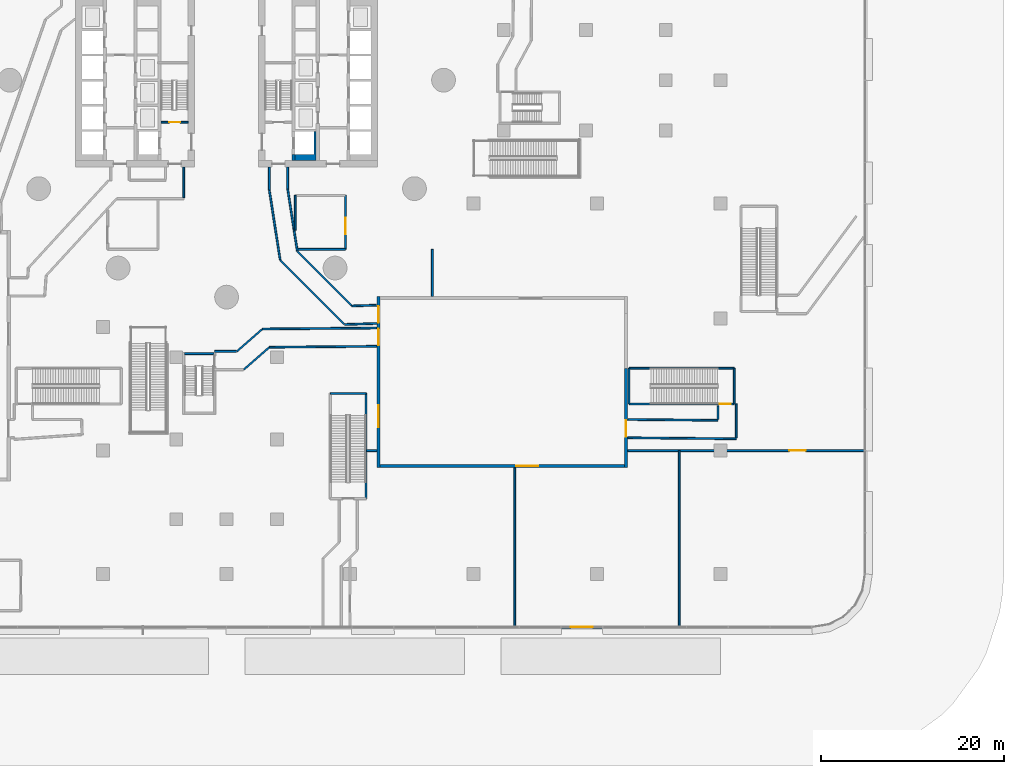
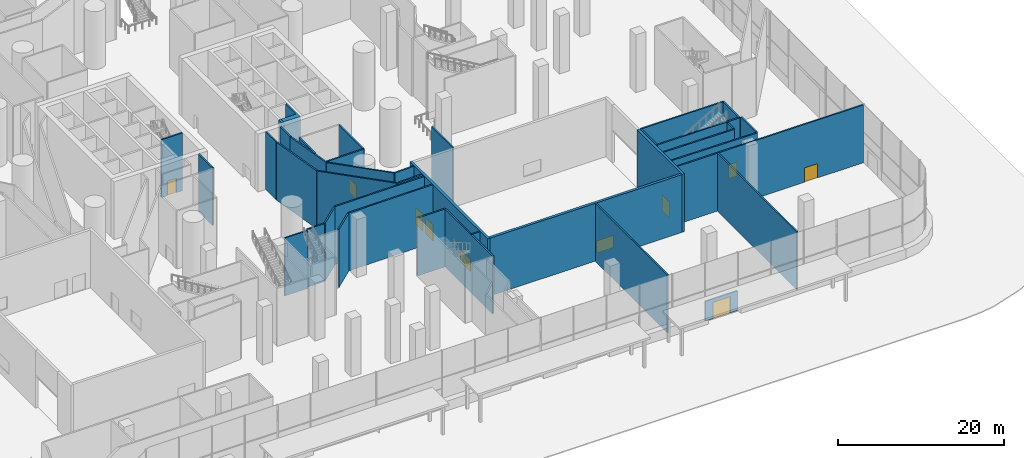
# One storey, part 24 of 54: 40 walls, 8 doors, 2 windows, 10 openings.
"""IFC4 building model written with IfcOpenShell, lengths in metres."""

from ifc_helpers import new_model, si_unit, direction, frame, frame_2d, origin, place, context, subcontext, project, spatial, polyline, rectangle, outline, extrude, material, layer, layer_set, type_object, element, fill, save


model = new_model("IFC4")

# Units and contexts
model_context = context("Model", 3, precision=1e-05, world=origin(), true_north=direction((0.0, 1.0)))
body_context = subcontext(model_context, "Body", "Model", "MODEL_VIEW")
ifc_project = project(units=[si_unit("LENGTHUNIT", "METRE"), si_unit("AREAUNIT", "SQUARE_METRE"), si_unit("VOLUMEUNIT", "CUBIC_METRE"), si_unit("PLANEANGLEUNIT", "RADIAN"), si_unit("MASSUNIT", "GRAM", prefix="KILO")], contexts=[model_context])

# Site, building, storey
site_placement = place(None, origin())
site = spatial("IfcSite", under=ifc_project, at=site_placement, CompositionType="ELEMENT")
building_placement = place(site_placement, origin())
building = spatial("IfcBuilding", under=site, at=building_placement, Name="Tamarind Cross Interchange Tower", CompositionType="ELEMENT")
storey_placement = place(building_placement, origin())
storey = spatial("IfcBuildingStorey", under=building, at=storey_placement, Name="L00", CompositionType="ELEMENT", Elevation=0.0)

# Walls
ifc_material_1 = material(Name="Concrete C80", Category="concrete")
ifc_layer_1 = layer(ifc_material_1, 0.35009765625)
ifc_layer_set_1 = layer_set([ifc_layer_1], Name="Concrete C80")
wall_type_1 = type_object("IfcWallType", Name="Core web wall 350 mm Concrete C80", PredefinedType="SHEAR", material=ifc_layer_set_1)
wall_1_placement = place(storey_placement, origin())
element("IfcWall", 1, at=wall_1_placement, inside=storey, type_object=wall_type_1, Name="Core wall CWL-L00-E-BS", PredefinedType="SHEAR", context=body_context, shape_type="SweptSolid", body=[
    extrude(outline(polyline([(7.5, -8.125), (7.5, -8.800048828125), (9.800048828125, -8.800048828125), (9.800048828125, -8.125), (9.800048828125, -5.625), (9.550048828125, -5.625), (9.550048828125, -8.125), (7.5, -8.125)])), origin(), (0.0, 0.0, 1.0), 8.5),
])
wall_2_placement = place(storey_placement, frame((7.324951171875, -8.800048828125, 0.0), z_axis=(0.0, 0.0, 1.0), x_axis=(0.0, 1.0, 0.0)))
element("IfcWall", 2, at=wall_2_placement, inside=storey, type_object=wall_type_1, Name="Core wall CWL-L00-E-BW", PredefinedType="SHEAR", context=body_context, shape_type="SweptSolid", body=[
    extrude(rectangle(XDim=0.675048828125, YDim=0.35009765625, at=frame_2d((0.33740234375, 0.0))), origin(), (0.0, 0.0, 1.0), 8.5),
])

# Wall, opening, door
ifc_material_2 = material(Name="Precast concrete C40", Category="concrete")
ifc_layer_2 = layer(ifc_material_2, 0.35009765625)
ifc_layer_set_2 = layer_set([ifc_layer_2], Name="Precast concrete C40")
wall_type_2 = type_object("IfcWallType", Name="Court portal pier wall", PredefinedType="SOLIDWALL", material=ifc_layer_set_2)
wall_3_placement = place(storey_placement, frame((43.675048828125, -42.35009765625, 0.0), z_axis=(0.0, 0.0, 1.0), x_axis=(0.0, 1.0, 0.0)))
wall_3 = element("IfcWall", 3, at=wall_3_placement, inside=storey, type_object=wall_type_2, Name="CTW-L00-SEE00", PredefinedType="SOLIDWALL", context=body_context, shape_type="SweptSolid", body=[
    extrude(rectangle(XDim=10.85009765625, YDim=0.35009765625, at=frame_2d((5.425048828125, 0.0))), origin(), (0.0, 0.0, 1.0), 8.5),
])
opening_1_placement = place(wall_3_placement, frame((3.35009765625, 0.0, 0.0)))
opening_1 = element("IfcOpeningElement", 4, at=opening_1_placement, cuts=wall_3, Name="Opening D7", PredefinedType="OPENING", context=body_context, shape_type="SweptSolid", body=[
    extrude(rectangle(XDim=1.800048828125, YDim=2.39990234375, at=frame_2d((0.89990234375, 1.199951171875))), frame((0.0, 0.18505859375, 0.0), z_axis=(0.0, -1.0, 0.0), x_axis=(1.0, 0.0, 0.0)), (0.0, 0.0, 1.0), 0.3701171875),
])
ifc_material_3 = material(Name="Steel FD90", Category="steel")
door_type_1 = type_object("IfcDoorType", Name="Exit passage door", OperationType="DOUBLE_DOOR_SINGLE_SWING", PredefinedType="DOOR", material=ifc_material_3)
door_1_placement = place(opening_1_placement, origin())
door_1 = element("IfcDoor", 5, at=door_1_placement, inside=storey, type_object=door_type_1, Name="Exit stair XS-P10 door to the SE fire court", OperationType="SINGLE_SWING_LEFT", OverallHeight=2.39990234375, OverallWidth=1.800048828125, PredefinedType="DOOR", context=body_context, shape_type="SweptSolid", body=[
    extrude(rectangle(XDim=1.800048828125, YDim=2.39990234375, at=frame_2d((0.89990234375, 1.199951171875))), frame((0.0, 0.02490234375, 0.0), z_axis=(0.0, -1.0, 0.0), x_axis=(1.0, 0.0, 0.0)), (0.0, 0.0, 1.0), 0.050048828125),
])
fill(opening_1, door_1)

# Walls
ifc_material_4 = material(Name="Masonry partition, fire-rated", Category="masonry")
ifc_layer_3 = layer(ifc_material_4, 0.199951171875)
ifc_layer_set_3 = layer_set([ifc_layer_3], Name="Masonry partition, fire-rated")
wall_type_3 = type_object("IfcWallType", Name="Fire partition 200 EI 120", PredefinedType="PARTITIONING", material=ifc_layer_set_3)
wall_4_placement = place(storey_placement, frame((15.280029296875, -40.5, 0.0), z_axis=(0.0, 0.0, 1.0), x_axis=(1.0, 0.0, 0.0)))
element("IfcWall", 6, at=wall_4_placement, inside=storey, type_object=wall_type_3, Name="L00 partition 95", PredefinedType="PARTITIONING", context=body_context, shape_type="SweptSolid", body=[
    extrude(rectangle(XDim=1.139892578125, YDim=0.199951171875, at=frame_2d((0.56982421875, 0.0))), origin(), (0.0, 0.0, 1.0), 8.5),
])
wall_5_placement = place(storey_placement, frame((31.5, -59.698974609375, 0.0), z_axis=(0.0, 0.0, 1.0), x_axis=(0.0, 1.0, 0.0)))
element("IfcWall", 7, at=wall_5_placement, inside=storey, type_object=wall_type_3, Name="L00 partition 97", PredefinedType="PARTITIONING", context=body_context, shape_type="SweptSolid", body=[
    extrude(rectangle(XDim=17.319091796875, YDim=0.199951171875, at=frame_2d((8.65966796875, 0.0))), origin(), (0.0, 0.0, 1.0), 8.5),
])

# Wall, opening, door
wall_6_placement = place(storey_placement, frame((43.8798828125, -40.5, 0.0), z_axis=(0.0, 0.0, 1.0), x_axis=(1.0, 0.0, 0.0)))
wall_6 = element("IfcWall", 8, at=wall_6_placement, inside=storey, type_object=wall_type_3, Name="L00 partition 99", PredefinedType="PARTITIONING", context=body_context, shape_type="SweptSolid", body=[
    extrude(rectangle(XDim=25.819091796875, YDim=0.199951171875, at=frame_2d((12.90966796875, 0.0))), origin(), (0.0, 0.0, 1.0), 8.5),
])
opening_2_placement = place(wall_6_placement, frame((17.663330078125, 0.0, 0.0)))
opening_2 = element("IfcOpeningElement", 9, at=opening_2_placement, cuts=wall_6, Name="Opening DL00-32", PredefinedType="OPENING", context=body_context, shape_type="SweptSolid", body=[
    extrude(rectangle(XDim=1.800048828125, YDim=2.10009765625, at=frame_2d((0.89990234375, 1.050048828125))), frame((0.0, 0.10986328125, 0.0), z_axis=(0.0, -1.0, 0.0), x_axis=(1.0, 0.0, 0.0)), (0.0, 0.0, 1.0), 0.219970703125),
])
ifc_material_5 = material(Name="Steel, fire-resisting", Category="steel")
door_type_2 = type_object("IfcDoorType", Name="Podium door 1800 x 2100 FD60", OperationType="SINGLE_SWING_LEFT", PredefinedType="DOOR", material=ifc_material_5)
door_2_placement = place(opening_2_placement, origin())
door_2 = element("IfcDoor", 10, at=door_2_placement, inside=storey, type_object=door_type_2, Name="L00 door Police Post 0025", OperationType="SINGLE_SWING_RIGHT", OverallHeight=2.10009765625, OverallWidth=1.800048828125, PredefinedType="DOOR", context=body_context, shape_type="SweptSolid", body=[
    extrude(rectangle(XDim=1.800048828125, YDim=2.10009765625, at=frame_2d((0.89990234375, 1.050048828125))), frame((0.0, 0.02490234375, 0.0), z_axis=(0.0, -1.0, 0.0), x_axis=(1.0, 0.0, 0.0)), (0.0, 0.0, 1.0), 0.050048828125),
])
fill(opening_2, door_2)

# Walls
wall_7_placement = place(storey_placement, frame((49.5, -59.698974609375, 0.0), z_axis=(0.0, 0.0, 1.0), x_axis=(0.0, 1.0, 0.0)))
element("IfcWall", 11, at=wall_7_placement, inside=storey, type_object=wall_type_3, Name="L00 partition 100", PredefinedType="PARTITIONING", context=body_context, shape_type="SweptSolid", body=[
    extrude(rectangle(XDim=19.198974609375, YDim=0.199951171875, at=frame_2d((9.599609375, 0.0))), origin(), (0.0, 0.0, 1.0), 8.5),
])
ifc_layer_4 = layer(ifc_material_4, 0.199951171875)
ifc_layer_set_4 = layer_set([ifc_layer_4], Name="Masonry partition, fire-rated")
wall_type_4 = type_object("IfcWallType", Name="Fire partition 200 EI 180", PredefinedType="PARTITIONING", material=ifc_layer_set_4)
wall_8_placement = place(storey_placement, frame((7.82470703125, -18.5, 0.0), z_axis=(0.0, 0.0, 1.0), x_axis=(1.0, 0.0, 0.0)))
element("IfcWall", 12, at=wall_8_placement, inside=storey, type_object=wall_type_4, Name="L00 partition 115", PredefinedType="PARTITIONING", context=body_context, shape_type="SweptSolid", body=[
    extrude(rectangle(XDim=5.17529296875, YDim=0.199951171875, at=frame_2d((2.587646484375, 0.0))), origin(), (0.0, 0.0, 1.0), 8.5),
])
wall_9_placement = place(storey_placement, frame((7.5, -16.406982421875, 0.0), z_axis=(0.0, 0.0, 1.0), x_axis=(0.0, 1.0, 0.0)))
element("IfcWall", 13, at=wall_9_placement, inside=storey, type_object=wall_type_4, Name="L00 partition 116", PredefinedType="PARTITIONING", context=body_context, shape_type="SweptSolid", body=[
    extrude(rectangle(XDim=3.806884765625, YDim=0.199951171875, at=frame_2d((1.9033203125, 0.0))), origin(), (0.0, 0.0, 1.0), 8.5),
])

# Wall, opening, door
ifc_layer_5 = layer(ifc_material_4, 0.199951171875)
ifc_layer_set_5 = layer_set([ifc_layer_5], Name="Masonry partition, fire-rated")
wall_type_5 = type_object("IfcWallType", Name="Fire partition 200 EI 90", PredefinedType="PARTITIONING", material=ifc_layer_set_5)
wall_10_placement = place(storey_placement, frame((13.0, -18.5, 0.0), z_axis=(0.0, 0.0, 1.0), x_axis=(0.0, 1.0, 0.0)))
wall_10 = element("IfcWall", 14, at=wall_10_placement, inside=storey, type_object=wall_type_5, Name="L00 partition 114", PredefinedType="PARTITIONING", context=body_context, shape_type="SweptSolid", body=[
    extrude(rectangle(XDim=5.89990234375, YDim=0.199951171875, at=frame_2d((2.949951171875, 0.0))), origin(), (0.0, 0.0, 1.0), 8.5),
])
opening_3_placement = place(wall_10_placement, frame((1.665283203125, 0.0, 0.0)))
opening_3 = element("IfcOpeningElement", 15, at=opening_3_placement, cuts=wall_10, Name="Opening DL00-40", PredefinedType="OPENING", context=body_context, shape_type="SweptSolid", body=[
    extrude(rectangle(XDim=1.800048828125, YDim=2.10009765625, at=frame_2d((0.89990234375, 1.050048828125))), frame((0.0, 0.10986328125, 0.0), z_axis=(0.0, -1.0, 0.0), x_axis=(1.0, 0.0, 0.0)), (0.0, 0.0, 1.0), 0.219970703125),
])
door_3_placement = place(opening_3_placement, origin())
door_3 = element("IfcDoor", 16, at=door_3_placement, inside=storey, type_object=door_type_2, Name="L00 door Observation Deck Lobby", OperationType="SINGLE_SWING_RIGHT", OverallHeight=2.10009765625, OverallWidth=1.800048828125, PredefinedType="DOOR", context=body_context, shape_type="SweptSolid", body=[
    extrude(rectangle(XDim=1.800048828125, YDim=2.10009765625, at=frame_2d((0.89990234375, 1.050048828125))), frame((0.0, 0.02490234375, 0.0), z_axis=(0.0, -1.0, 0.0), x_axis=(1.0, 0.0, 0.0)), (0.0, 0.0, 1.0), 0.050048828125),
])
fill(opening_3, door_3)

# Wall
ifc_material_6 = material(Name="Concrete C40", Category="concrete")
ifc_layer_6 = layer(ifc_material_6, 0.199951171875)
ifc_layer_set_6 = layer_set([ifc_layer_6], Name="Concrete C40")
wall_type_6 = type_object("IfcWallType", Name="Hall wall 200 EI 120", PredefinedType="PARTITIONING", material=ifc_layer_set_6)
wall_11_placement = place(storey_placement, frame((22.5, -18.5, 0.0), z_axis=(0.0, 0.0, 1.0), x_axis=(0.0, -1.0, 0.0)))
element("IfcWall", 17, at=wall_11_placement, inside=storey, type_object=wall_type_6, Name="L00 hall wall 119", PredefinedType="PARTITIONING", context=body_context, shape_type="SweptSolid", body=[
    extrude(rectangle(XDim=5.14990234375, YDim=0.199951171875, at=frame_2d((2.574951171875, 0.0))), origin(), (0.0, 0.0, 1.0), 8.5),
])

# Wall, opening, door
ifc_layer_7 = layer(ifc_material_2, 0.35009765625)
ifc_layer_set_7 = layer_set([ifc_layer_7], Name="Precast concrete C40")
wall_type_7 = type_object("IfcWallType", Name="Podium facade wall", PredefinedType="SOLIDWALL", material=ifc_layer_set_7)
wall_12_placement = place(storey_placement, frame((36.6025390625, -59.800048828125, 0.0), z_axis=(0.0, 0.0, 1.0), x_axis=(1.0, 0.0, 0.0)))
wall_12 = element("IfcWall", 18, at=wall_12_placement, inside=storey, type_object=wall_type_7, Name="EXW-L00-06-D22", PredefinedType="SOLIDWALL", context=body_context, shape_type="SweptSolid", body=[
    extrude(rectangle(XDim=4.490234375, YDim=0.199951171875, at=frame_2d((2.2451171875, 0.0))), origin(), (0.0, 0.0, 1.0), 2.89990234375),
])
opening_4_placement = place(wall_12_placement, frame((1.045166015625, 0.0, 0.0)))
opening_4 = element("IfcOpeningElement", 19, at=opening_4_placement, cuts=wall_12, Name="Opening D1", PredefinedType="OPENING", context=body_context, shape_type="SweptSolid", body=[
    extrude(rectangle(XDim=2.39990234375, YDim=2.39990234375, at=frame_2d((1.199951171875, 1.199951171875))), frame((0.0, 0.10986328125, 0.0), z_axis=(0.0, -1.0, 0.0), x_axis=(1.0, 0.0, 0.0)), (0.0, 0.0, 1.0), 0.219970703125),
])
ifc_material_7 = material(Name="Toughened glass and aluminium", Category="aluminium")
door_type_3 = type_object("IfcDoorType", Name="Station entrance door", OperationType="DOUBLE_DOOR_DOUBLE_SWING", PredefinedType="DOOR", material=ifc_material_7)
door_4_placement = place(opening_4_placement, frame((2.39990234375, 0.0, 0.0), z_axis=(0.0, 0.0, 1.0), x_axis=(-1.0, 0.0, 0.0)))
door_4 = element("IfcDoor", 20, at=door_4_placement, inside=storey, type_object=door_type_3, Name="DOR-L00-06-22", OperationType="DOUBLE_DOOR_DOUBLE_SWING", OverallHeight=2.39990234375, OverallWidth=2.39990234375, PredefinedType="DOOR", context=body_context, shape_type="SweptSolid", body=[
    extrude(rectangle(XDim=2.39990234375, YDim=2.39990234375, at=frame_2d((1.199951171875, 1.199951171875))), frame((0.0, 0.02490234375, 0.0), z_axis=(0.0, -1.0, 0.0), x_axis=(1.0, 0.0, 0.0)), (0.0, 0.0, 1.0), 0.050048828125),
])
fill(opening_4, door_4)

# Wall, opening, window
wall_13_placement = place(storey_placement, frame((16.800048828125, -42.175048828125, 0.0), z_axis=(0.0, 0.0, 1.0), x_axis=(1.0, 0.0, 0.0)))
wall_13 = element("IfcWall", 21, at=wall_13_placement, inside=storey, type_object=wall_type_7, Name="CTW-L00-SES00", PredefinedType="SOLIDWALL", context=body_context, shape_type="SweptSolid", body=[
    extrude(rectangle(XDim=26.699951171875, YDim=0.35009765625, at=frame_2d((13.35009765625, 0.0))), origin(), (0.0, 0.0, 1.0), 8.5),
])
opening_5_placement = place(wall_13_placement, frame((14.85009765625, 0.0, 1.0)))
opening_5 = element("IfcOpeningElement", 22, at=opening_5_placement, cuts=wall_13, Name="Opening W4", PredefinedType="OPENING", context=body_context, shape_type="SweptSolid", body=[
    extrude(rectangle(XDim=2.39990234375, YDim=1.800048828125, at=frame_2d((1.199951171875, 0.89990234375))), frame((0.0, 0.18505859375, 0.0), z_axis=(0.0, -1.0, 0.0), x_axis=(1.0, 0.0, 0.0)), (0.0, 0.0, 1.0), 0.3701171875),
])
ifc_material_8 = material(Name="Aluminium and toughened glass", Category="aluminium")
window_type = type_object("IfcWindowType", Name="Podium daylight window", PartitioningType="SINGLE_PANEL", PredefinedType="WINDOW", material=ifc_material_8)
window_1_placement = place(opening_5_placement, origin())
window_1 = element("IfcWindow", 23, at=window_1_placement, inside=storey, type_object=window_type, Name="CTX-L00-SES-01-00", OverallHeight=1.800048828125, OverallWidth=2.39990234375, PartitioningType="SINGLE_PANEL", PredefinedType="WINDOW", context=body_context, shape_type="SweptSolid", body=[
    extrude(rectangle(XDim=2.39990234375, YDim=1.800048828125, at=frame_2d((1.199951171875, 0.89990234375))), frame((0.0, 0.030029296875, 0.0), z_axis=(0.0, -1.0, 0.0), x_axis=(1.0, 0.0, 0.0)), (0.0, 0.0, 1.0), 0.06005859375),
])
fill(opening_5, window_1)

# Wall, openings, doors, window
wall_14_placement = place(storey_placement, frame((16.625, -42.35009765625, 0.0), z_axis=(0.0, 0.0, 1.0), x_axis=(0.0, 1.0, 0.0)))
wall_14 = element("IfcWall", 24, at=wall_14_placement, inside=storey, type_object=wall_type_7, Name="CTW-L00-SEW00", PredefinedType="SOLIDWALL", context=body_context, shape_type="SweptSolid", body=[
    extrude(rectangle(XDim=18.7001953125, YDim=0.35009765625, at=frame_2d((9.35009765625, 0.0))), origin(), (0.0, 0.0, 1.0), 8.5),
])
opening_6_placement = place(wall_14_placement, frame((13.35009765625, 0.0, 0.0)))
opening_6 = element("IfcOpeningElement", 25, at=opening_6_placement, cuts=wall_14, Name="Opening D7", PredefinedType="OPENING", context=body_context, shape_type="SweptSolid", body=[
    extrude(rectangle(XDim=1.800048828125, YDim=2.39990234375, at=frame_2d((0.89990234375, 1.199951171875))), frame((0.0, 0.18505859375, 0.0), z_axis=(0.0, -1.0, 0.0), x_axis=(1.0, 0.0, 0.0)), (0.0, 0.0, 1.0), 0.3701171875),
])
opening_7_placement = place(wall_14_placement, frame((15.85009765625, 0.0, 0.0)))
opening_7 = element("IfcOpeningElement", 26, at=opening_7_placement, cuts=wall_14, Name="Opening D7", PredefinedType="OPENING", context=body_context, shape_type="SweptSolid", body=[
    extrude(rectangle(XDim=1.800048828125, YDim=2.39990234375, at=frame_2d((0.89990234375, 1.199951171875))), frame((0.0, 0.18505859375, 0.0), z_axis=(0.0, -1.0, 0.0), x_axis=(1.0, 0.0, 0.0)), (0.0, 0.0, 1.0), 0.3701171875),
])
opening_8_placement = place(wall_14_placement, frame((4.39990234375, 0.0, 1.0)))
opening_8 = element("IfcOpeningElement", 27, at=opening_8_placement, cuts=wall_14, Name="Opening W4", PredefinedType="OPENING", context=body_context, shape_type="SweptSolid", body=[
    extrude(rectangle(XDim=2.39990234375, YDim=1.800048828125, at=frame_2d((1.199951171875, 0.89990234375))), frame((0.0, 0.18505859375, 0.0), z_axis=(0.0, -1.0, 0.0), x_axis=(1.0, 0.0, 0.0)), (0.0, 0.0, 1.0), 0.3701171875),
])
door_5_placement = place(opening_6_placement, frame((1.800048828125, 0.0, 0.0), z_axis=(0.0, 0.0, 1.0), x_axis=(-1.0, 0.0, 0.0)))
door_5 = element("IfcDoor", 28, at=door_5_placement, inside=storey, type_object=door_type_1, Name="Exit stair ST6 door to the SE fire court", OperationType="SINGLE_SWING_LEFT", OverallHeight=2.39990234375, OverallWidth=1.800048828125, PredefinedType="DOOR", context=body_context, shape_type="SweptSolid", body=[
    extrude(rectangle(XDim=1.800048828125, YDim=2.39990234375, at=frame_2d((0.89990234375, 1.199951171875))), frame((0.0, 0.02490234375, 0.0), z_axis=(0.0, -1.0, 0.0), x_axis=(1.0, 0.0, 0.0)), (0.0, 0.0, 1.0), 0.050048828125),
])
fill(opening_6, door_5)
door_6_placement = place(opening_7_placement, frame((1.800048828125, 0.0, 0.0), z_axis=(0.0, 0.0, 1.0), x_axis=(-1.0, 0.0, 0.0)))
door_6 = element("IfcDoor", 29, at=door_6_placement, inside=storey, type_object=door_type_1, Name="Exit stair ST2 door to the SE fire court", OperationType="SINGLE_SWING_LEFT", OverallHeight=2.39990234375, OverallWidth=1.800048828125, PredefinedType="DOOR", context=body_context, shape_type="SweptSolid", body=[
    extrude(rectangle(XDim=1.800048828125, YDim=2.39990234375, at=frame_2d((0.89990234375, 1.199951171875))), frame((0.0, 0.02490234375, 0.0), z_axis=(0.0, -1.0, 0.0), x_axis=(1.0, 0.0, 0.0)), (0.0, 0.0, 1.0), 0.050048828125),
])
fill(opening_7, door_6)
window_2_placement = place(opening_8_placement, origin())
window_2 = element("IfcWindow", 30, at=window_2_placement, inside=storey, type_object=window_type, Name="CTX-L00-SEW-00-00", OverallHeight=1.800048828125, OverallWidth=2.39990234375, PartitioningType="SINGLE_PANEL", PredefinedType="WINDOW", context=body_context, shape_type="SweptSolid", body=[
    extrude(rectangle(XDim=2.39990234375, YDim=1.800048828125, at=frame_2d((1.199951171875, 0.89990234375))), frame((0.0, 0.030029296875, 0.0), z_axis=(0.0, -1.0, 0.0), x_axis=(1.0, 0.0, 0.0)), (0.0, 0.0, 1.0), 0.06005859375),
])
fill(opening_8, window_2)

# Walls
ifc_layer_8 = layer(ifc_material_6, 0.199951171875)
ifc_layer_set_8 = layer_set([ifc_layer_8], Name="Concrete C40")
wall_type_8 = type_object("IfcWallType", Name="Protected passage wall 200 EI 180", PredefinedType="PARTITIONING", material=ifc_layer_set_8)
wall_15_placement = place(storey_placement, frame((-1.300048828125, -29.64990234375, 0.0), z_axis=(0.0, 0.0, 1.0), x_axis=(1.0, 0.0, 0.0)))
element("IfcWall", 31, at=wall_15_placement, inside=storey, type_object=wall_type_8, Name="L00 passage wall 138", PredefinedType="PARTITIONING", context=body_context, shape_type="SweptSolid", body=[
    extrude(rectangle(XDim=2.374267578125, YDim=0.199951171875, at=frame_2d((1.18701171875, 0.0))), origin(), (0.0, 0.0, 1.0), 8.5),
])
wall_16_placement = place(storey_placement, frame((1.124267578125, -29.64990234375, 0.0), z_axis=(0.0, 0.0, 1.0), x_axis=(0.752593197415, 0.658485747154, 0.0)))
element("IfcWall", 32, at=wall_16_placement, inside=storey, type_object=wall_type_8, Name="L00 passage wall 139", PredefinedType="PARTITIONING", context=body_context, shape_type="SweptSolid", body=[
    extrude(rectangle(XDim=3.665771484375, YDim=0.199951171875, at=frame_2d((1.8330078125, 0.0))), origin(), (0.0, 0.0, 1.0), 8.5),
])
wall_17_placement = place(storey_placement, frame((3.920654296875, -27.203125, 0.0), z_axis=(0.0, 0.0, 1.0), x_axis=(0.999965985762, 0.008247867521, 0.0)))
element("IfcWall", 33, at=wall_17_placement, inside=storey, type_object=wall_type_8, Name="L00 passage wall 140", PredefinedType="PARTITIONING", context=body_context, shape_type="SweptSolid", body=[
    extrude(rectangle(XDim=12.491455078125, YDim=0.199951171875, at=frame_2d((6.24560546875, 0.0))), origin(), (0.0, 0.0, 1.0), 8.5),
])
wall_18_placement = place(storey_placement, frame((1.875732421875, -31.64990234375, 0.0), z_axis=(0.0, 0.0, 1.0), x_axis=(0.75257257963, 0.658509310784, 0.0)))
element("IfcWall", 34, at=wall_18_placement, inside=storey, type_object=wall_type_8, Name="L00 passage wall 142", PredefinedType="PARTITIONING", context=body_context, shape_type="SweptSolid", body=[
    extrude(rectangle(XDim=3.67529296875, YDim=0.199951171875, at=frame_2d((1.837646484375, 0.0))), origin(), (0.0, 0.0, 1.0), 8.5),
])
wall_19_placement = place(storey_placement, frame((4.67919921875, -29.197021484375, 0.0), z_axis=(0.0, 0.0, 1.0), x_axis=(0.99996597443, 0.008249241373, 0.0)))
element("IfcWall", 35, at=wall_19_placement, inside=storey, type_object=wall_type_8, Name="L00 passage wall 143", PredefinedType="PARTITIONING", context=body_context, shape_type="SweptSolid", body=[
    extrude(rectangle(XDim=11.74951171875, YDim=0.199951171875, at=frame_2d((5.874755859375, 0.0))), origin(), (0.0, 0.0, 1.0), 8.5),
])
wall_20_placement = place(storey_placement, frame((-4.675048828125, -9.5, 0.0), z_axis=(0.0, 0.0, 1.0), x_axis=(0.0, -1.0, 0.0)))
element("IfcWall", 36, at=wall_20_placement, inside=storey, type_object=wall_type_8, Name="L00 passage wall 144", PredefinedType="PARTITIONING", context=body_context, shape_type="SweptSolid", body=[
    extrude(rectangle(XDim=3.35009765625, YDim=0.199951171875, at=frame_2d((1.675048828125, 0.0))), origin(), (0.0, 0.0, 1.0), 8.5),
])
wall_21_placement = place(storey_placement, frame((6.675048828125, -9.5, 0.0), z_axis=(0.0, 0.0, 1.0), x_axis=(0.0, -1.0, 0.0)))
element("IfcWall", 37, at=wall_21_placement, inside=storey, type_object=wall_type_8, Name="L00 passage wall 154", PredefinedType="PARTITIONING", context=body_context, shape_type="SweptSolid", body=[
    extrude(rectangle(XDim=2.372802734375, YDim=0.199951171875, at=frame_2d((1.1865234375, 0.0))), origin(), (0.0, 0.0, 1.0), 8.5),
])
wall_22_placement = place(storey_placement, frame((6.675048828125, -11.872802734375, 0.0), z_axis=(0.0, 0.0, 1.0), x_axis=(0.153333746866, -0.98817445933, 0.0)))
element("IfcWall", 38, at=wall_22_placement, inside=storey, type_object=wall_type_8, Name="L00 passage wall 155", PredefinedType="PARTITIONING", context=body_context, shape_type="SweptSolid", body=[
    extrude(rectangle(XDim=6.883056640625, YDim=0.199951171875, at=frame_2d((3.44140625, 0.0))), origin(), (0.0, 0.0, 1.0), 8.5),
])
wall_23_placement = place(storey_placement, frame((7.738037109375, -18.723876953125, 0.0), z_axis=(0.0, 0.0, 1.0), x_axis=(0.707121343443, -0.70709221863, 0.0)))
element("IfcWall", 39, at=wall_23_placement, inside=storey, type_object=wall_type_8, Name="L00 passage wall 156", PredefinedType="PARTITIONING", context=body_context, shape_type="SweptSolid", body=[
    extrude(rectangle(XDim=8.382568359375, YDim=0.199951171875, at=frame_2d((4.19140625, 0.0))), origin(), (0.0, 0.0, 1.0), 8.5),
])
wall_24_placement = place(storey_placement, frame((13.700927734375, -24.6865234375, 0.0), z_axis=(0.0, 0.0, 1.0), x_axis=(0.999488950114, 0.031966210289, 0.0)))
element("IfcWall", 40, at=wall_24_placement, inside=storey, type_object=wall_type_8, Name="L00 passage wall 157", PredefinedType="PARTITIONING", context=body_context, shape_type="SweptSolid", body=[
    extrude(rectangle(XDim=2.6884765625, YDim=0.199951171875, at=frame_2d((1.34423828125, 0.0))), origin(), (0.0, 0.0, 1.0), 8.5),
])
wall_25_placement = place(storey_placement, frame((4.675048828125, -9.5, 0.0), z_axis=(0.0, 0.0, 1.0), x_axis=(0.0, -1.0, 0.0)))
element("IfcWall", 41, at=wall_25_placement, inside=storey, type_object=wall_type_8, Name="L00 passage wall 158", PredefinedType="PARTITIONING", context=body_context, shape_type="SweptSolid", body=[
    extrude(rectangle(XDim=2.527099609375, YDim=0.199951171875, at=frame_2d((1.263671875, 0.0))), origin(), (0.0, 0.0, 1.0), 8.5),
])
wall_26_placement = place(storey_placement, frame((4.675048828125, -12.027099609375, 0.0), z_axis=(0.0, 0.0, 1.0), x_axis=(0.153330916217, -0.988174898554, 0.0)))
element("IfcWall", 42, at=wall_26_placement, inside=storey, type_object=wall_type_8, Name="L00 passage wall 159", PredefinedType="PARTITIONING", context=body_context, shape_type="SweptSolid", body=[
    extrude(rectangle(XDim=7.6904296875, YDim=0.199951171875, at=frame_2d((3.84521484375, 0.0))), origin(), (0.0, 0.0, 1.0), 8.5),
])
wall_27_placement = place(storey_placement, frame((5.86181640625, -19.676025390625, 0.0), z_axis=(0.0, 0.0, 1.0), x_axis=(0.707106781187, -0.707106781187, 0.0)))
element("IfcWall", 43, at=wall_27_placement, inside=storey, type_object=wall_type_8, Name="L00 passage wall 160", PredefinedType="PARTITIONING", context=body_context, shape_type="SweptSolid", body=[
    extrude(rectangle(XDim=9.90234375, YDim=0.199951171875, at=frame_2d((4.951171875, 0.0))), origin(), (0.0, 0.0, 1.0), 8.5),
])
wall_28_placement = place(storey_placement, frame((12.899169921875, -26.71337890625, 0.0), z_axis=(0.0, 0.0, 1.0), x_axis=(0.999487091524, 0.032024270122, 0.0)))
element("IfcWall", 44, at=wall_28_placement, inside=storey, type_object=wall_type_8, Name="L00 passage wall 161", PredefinedType="PARTITIONING", context=body_context, shape_type="SweptSolid", body=[
    extrude(rectangle(XDim=3.552490234375, YDim=0.199951171875, at=frame_2d((1.7763671875, 0.0))), origin(), (0.0, 0.0, 1.0), 8.5),
])
wall_29_placement = place(storey_placement, frame((55.72509765625, -35.39990234375, 0.0), z_axis=(0.0, 0.0, 1.0), x_axis=(0.0, -1.0, 0.0)))
element("IfcWall", 45, at=wall_29_placement, inside=storey, type_object=wall_type_8, Name="L00 passage wall 208", PredefinedType="PARTITIONING", context=body_context, shape_type="SweptSolid", body=[
    extrude(rectangle(XDim=3.70947265625, YDim=0.199951171875, at=frame_2d((1.854736328125, 0.0))), origin(), (0.0, 0.0, 1.0), 8.5),
])
wall_30_placement = place(storey_placement, frame((55.72509765625, -39.209228515625, 0.0), z_axis=(0.0, 0.0, 1.0), x_axis=(-0.999957626969, 0.009205664901, 0.0)))
element("IfcWall", 46, at=wall_30_placement, inside=storey, type_object=wall_type_8, Name="L00 passage wall 209", PredefinedType="PARTITIONING", context=body_context, shape_type="SweptSolid", body=[
    extrude(rectangle(XDim=11.854736328125, YDim=0.199951171875, at=frame_2d((5.92724609375, 0.0))), origin(), (0.0, 0.0, 1.0), 8.5),
])
wall_31_placement = place(storey_placement, frame((53.72509765625, -35.6201171875, 0.0), z_axis=(0.0, 0.0, 1.0), x_axis=(0.0, -1.0, 0.0)))
element("IfcWall", 47, at=wall_31_placement, inside=storey, type_object=wall_type_8, Name="L00 passage wall 210", PredefinedType="PARTITIONING", context=body_context, shape_type="SweptSolid", body=[
    extrude(rectangle(XDim=1.470703125, YDim=0.199951171875, at=frame_2d((0.7353515625, 0.0))), origin(), (0.0, 0.0, 1.0), 8.5),
])
wall_32_placement = place(storey_placement, frame((53.72509765625, -37.190673828125, 0.0), z_axis=(0.0, 0.0, 1.0), x_axis=(-0.999957602643, 0.009208306954, 0.0)))
element("IfcWall", 48, at=wall_32_placement, inside=storey, type_object=wall_type_8, Name="L00 passage wall 211", PredefinedType="PARTITIONING", context=body_context, shape_type="SweptSolid", body=[
    extrude(rectangle(XDim=9.83642578125, YDim=0.199951171875, at=frame_2d((4.918212890625, 0.0))), origin(), (0.0, 0.0, 1.0), 8.5),
])
ifc_layer_9 = layer(ifc_material_6, 0.199951171875)
ifc_layer_set_9 = layer_set([ifc_layer_9], Name="Concrete C40")
wall_type_9 = type_object("IfcWallType", Name="Stair shaft wall 200 EI 180", PredefinedType="PARTITIONING", material=ifc_layer_set_9)
wall_33_placement = place(storey_placement, frame((11.35009765625, -34.25, 0.0), z_axis=(0.0, 0.0, 1.0), x_axis=(1.0, 0.0, 0.0)))
element("IfcWall", 49, at=wall_33_placement, inside=storey, type_object=wall_type_9, Name="L00 stair shaft wall 34", PredefinedType="PARTITIONING", context=body_context, shape_type="SweptSolid", body=[
    extrude(rectangle(XDim=3.89990234375, YDim=0.199951171875, at=frame_2d((1.949951171875, 0.0))), origin(), (0.0, 0.0, 1.0), 8.5),
])
wall_34_placement = place(storey_placement, frame((15.25, -45.75, 0.0), z_axis=(0.0, 0.0, 1.0), x_axis=(0.0, 1.0, 0.0)))
element("IfcWall", 50, at=wall_34_placement, inside=storey, type_object=wall_type_9, Name="L00 stair shaft wall 35", PredefinedType="PARTITIONING", context=body_context, shape_type="SweptSolid", body=[
    extrude(rectangle(XDim=11.5, YDim=0.199951171875, at=frame_2d((5.75, 0.0))), origin(), (0.0, 0.0, 1.0), 8.5),
])

# Wall, opening, door
wall_35_placement = place(storey_placement, frame((44.0, -35.39990234375, 0.0), z_axis=(0.0, 0.0, 1.0), x_axis=(1.0, 0.0, 0.0)))
wall_35 = element("IfcWall", 51, at=wall_35_placement, inside=storey, type_object=wall_type_9, Name="L00 stair shaft wall 45", PredefinedType="PARTITIONING", context=body_context, shape_type="SweptSolid", body=[
    extrude(rectangle(XDim=11.5, YDim=0.199951171875, at=frame_2d((5.75, 0.0))), origin(), (0.0, 0.0, 1.0), 8.5),
])
opening_9_placement = place(wall_35_placement, frame((9.93994140625, 0.0, 0.0)))
opening_9 = element("IfcOpeningElement", 52, at=opening_9_placement, cuts=wall_35, Name="Opening DL00-12", PredefinedType="OPENING", context=body_context, shape_type="SweptSolid", body=[
    extrude(rectangle(XDim=1.199951171875, YDim=2.10009765625, at=frame_2d((0.60009765625, 1.050048828125))), frame((0.0, 0.10986328125, 0.0), z_axis=(0.0, -1.0, 0.0), x_axis=(1.0, 0.0, 0.0)), (0.0, 0.0, 1.0), 0.219970703125),
])
door_type_4 = type_object("IfcDoorType", Name="Podium door 1200 x 2100 FD90", OperationType="SINGLE_SWING_LEFT", PredefinedType="DOOR", material=ifc_material_5)
door_7_placement = place(opening_9_placement, origin())
door_7 = element("IfcDoor", 53, at=door_7_placement, inside=storey, type_object=door_type_4, Name="L00 door Exit Stair PX10", OperationType="SINGLE_SWING_RIGHT", OverallHeight=2.10009765625, OverallWidth=1.199951171875, PredefinedType="DOOR", context=body_context, shape_type="SweptSolid", body=[
    extrude(rectangle(XDim=1.199951171875, YDim=2.10009765625, at=frame_2d((0.60009765625, 1.050048828125))), frame((0.0, 0.02490234375, 0.0), z_axis=(0.0, -1.0, 0.0), x_axis=(1.0, 0.0, 0.0)), (0.0, 0.0, 1.0), 0.050048828125),
])
fill(opening_9, door_7)

# Walls
wall_36_placement = place(storey_placement, frame((44.0, -35.39990234375, 0.0), z_axis=(0.0, 0.0, 1.0), x_axis=(0.0, 1.0, 0.0)))
element("IfcWall", 54, at=wall_36_placement, inside=storey, type_object=wall_type_9, Name="L00 stair shaft wall 46", PredefinedType="PARTITIONING", context=body_context, shape_type="SweptSolid", body=[
    extrude(rectangle(XDim=3.89990234375, YDim=0.199951171875, at=frame_2d((1.949951171875, 0.0))), origin(), (0.0, 0.0, 1.0), 8.5),
])
wall_37_placement = place(storey_placement, frame((44.0, -31.5, 0.0), z_axis=(0.0, 0.0, 1.0), x_axis=(1.0, 0.0, 0.0)))
element("IfcWall", 55, at=wall_37_placement, inside=storey, type_object=wall_type_9, Name="L00 stair shaft wall 47", PredefinedType="PARTITIONING", context=body_context, shape_type="SweptSolid", body=[
    extrude(rectangle(XDim=11.5, YDim=0.199951171875, at=frame_2d((5.75, 0.0))), origin(), (0.0, 0.0, 1.0), 8.5),
])
wall_38_placement = place(storey_placement, frame((55.5, -35.39990234375, 0.0), z_axis=(0.0, 0.0, 1.0), x_axis=(0.0, 1.0, 0.0)))
element("IfcWall", 56, at=wall_38_placement, inside=storey, type_object=wall_type_9, Name="L00 stair shaft wall 48", PredefinedType="PARTITIONING", context=body_context, shape_type="SweptSolid", body=[
    extrude(rectangle(XDim=3.89990234375, YDim=0.199951171875, at=frame_2d((1.949951171875, 0.0))), origin(), (0.0, 0.0, 1.0), 8.5),
])

# Wall, opening, door
ifc_layer_10 = layer(ifc_material_6, 0.199951171875)
ifc_layer_set_10 = layer_set([ifc_layer_10], Name="Concrete C40")
wall_type_10 = type_object("IfcWallType", Name="Stair shaft wall 200 mm Concrete C40", PredefinedType="SHEAR", material=ifc_layer_set_10)
wall_39_placement = place(storey_placement, frame((-7.14990234375, -4.60009765625, 0.0), z_axis=(0.0, 0.0, 1.0), x_axis=(1.0, 0.0, 0.0)))
wall_39 = element("IfcWall", 57, at=wall_39_placement, inside=storey, type_object=wall_type_10, Name="Core wall CWL-L00-W-SD", PredefinedType="SHEAR", context=body_context, shape_type="SweptSolid", body=[
    extrude(rectangle(XDim=2.949951171875, YDim=0.199951171875, at=frame_2d((1.47509765625, 0.0))), origin(), (0.0, 0.0, 1.0), 8.5),
])
opening_10_placement = place(wall_39_placement, frame((0.875, 0.0, 0.0)))
opening_10 = element("IfcOpeningElement", 58, at=opening_10_placement, cuts=wall_39, Name="Opening DCW6G", PredefinedType="OPENING", context=body_context, shape_type="SweptSolid", body=[
    extrude(rectangle(XDim=1.199951171875, YDim=2.10009765625, at=frame_2d((0.60009765625, 1.050048828125))), frame((0.0, 0.10986328125, 0.0), z_axis=(0.0, -1.0, 0.0), x_axis=(1.0, 0.0, 0.0)), (0.0, 0.0, 1.0), 0.219970703125),
])
door_type_5 = type_object("IfcDoorType", Name="Core fire door 1200 x 2100 FD90", OperationType="SINGLE_SWING_LEFT", PredefinedType="DOOR", material=ifc_material_5)
door_8_placement = place(opening_10_placement, origin())
door_8 = element("IfcDoor", 59, at=door_8_placement, inside=storey, type_object=door_type_5, Name="L00 stair door", OperationType="SINGLE_SWING_LEFT", OverallHeight=2.10009765625, OverallWidth=1.199951171875, PredefinedType="DOOR", context=body_context, shape_type="SweptSolid", body=[
    extrude(rectangle(XDim=1.199951171875, YDim=2.10009765625, at=frame_2d((0.60009765625, 1.050048828125))), frame((0.0, 0.02490234375, 0.0), z_axis=(0.0, -1.0, 0.0), x_axis=(1.0, 0.0, 0.0)), (0.0, 0.0, 1.0), 0.050048828125),
])
fill(opening_10, door_8)

# Wall
wall_40_placement = place(storey_placement, frame((-4.60009765625, -29.89990234375, 0.0), z_axis=(0.0, 0.0, 1.0), x_axis=(1.0, 0.0, 0.0)))
element("IfcWall", 60, at=wall_40_placement, inside=storey, type_object=wall_type_10, Name="Core wall CWL-L00-ST6-CE", PredefinedType="SHEAR", context=body_context, shape_type="SweptSolid", body=[
    extrude(rectangle(XDim=3.2001953125, YDim=0.199951171875, at=frame_2d((1.60009765625, 0.0))), origin(), (0.0, 0.0, 1.0), 8.5),
])

save(model, "model.ifc")
